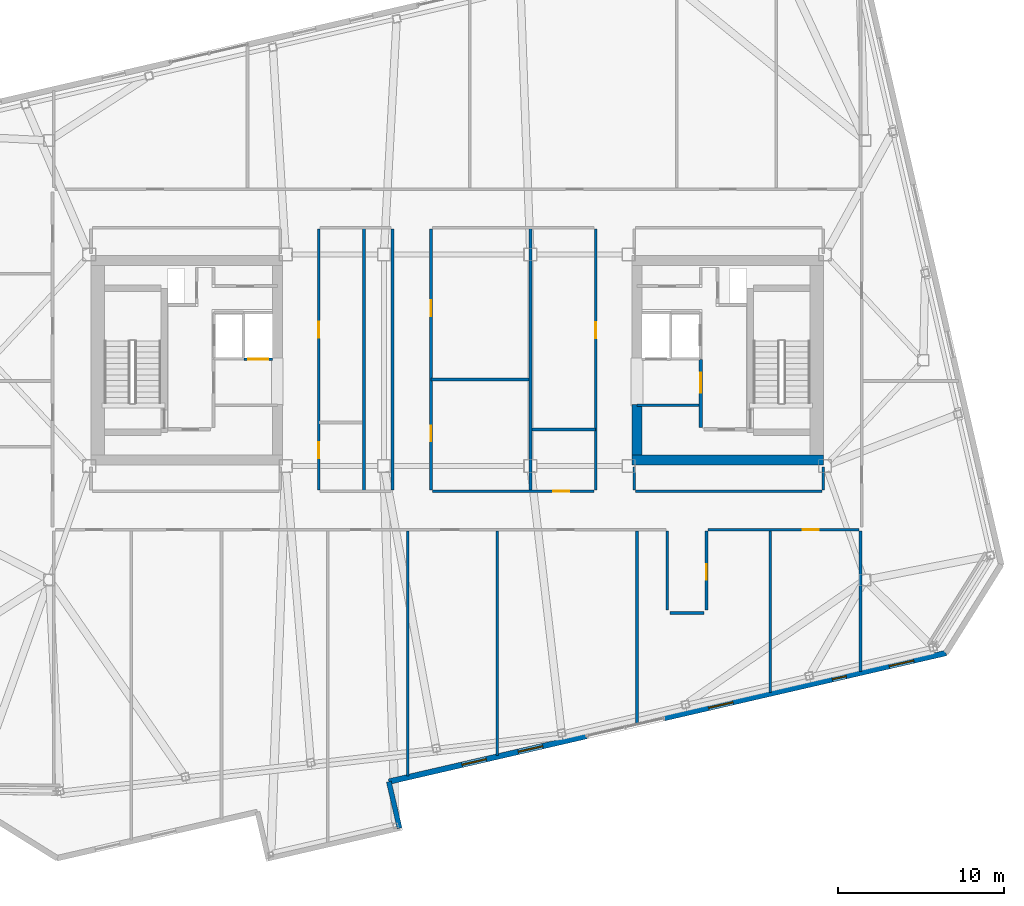
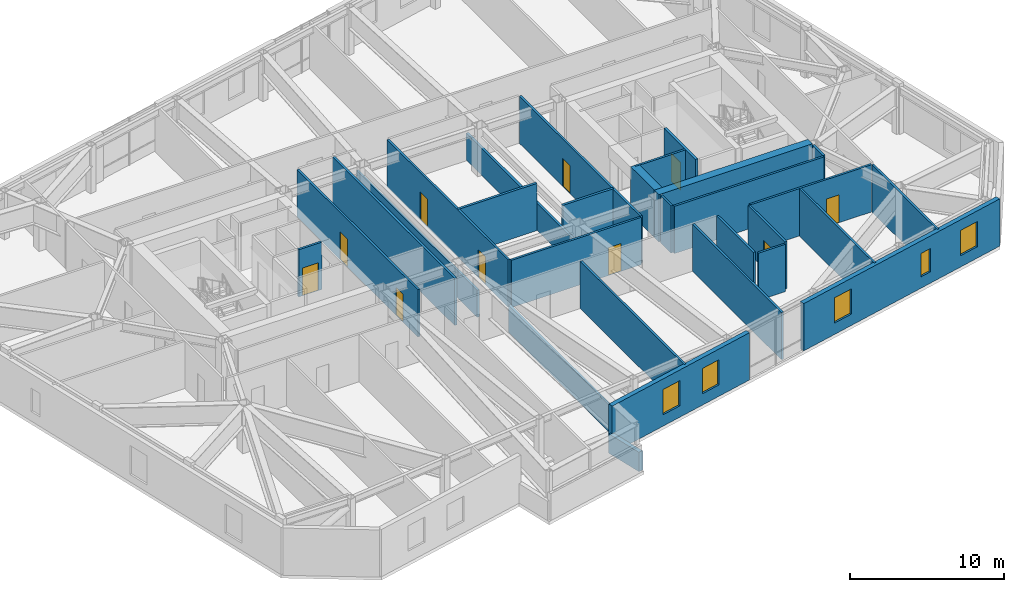
# One storey, part 15 of 21: 29 walls, 10 doors, 5 windows, 15 openings.
"""IFC4 building model written with IfcOpenShell, lengths in metres."""

from ifc_helpers import new_model, si_unit, direction, frame, frame_2d, origin, place, context, subcontext, project, spatial, rectangle, extrude, material, layer, layer_set, type_object, element, fill, save


model = new_model("IFC4")

# Units and contexts
model_context = context("Model", 3, precision=1e-05, world=origin(), true_north=direction((0.0, 1.0)))
body_context = subcontext(model_context, "Body", "Model", "MODEL_VIEW")
ifc_project = project(units=[si_unit("LENGTHUNIT", "METRE"), si_unit("AREAUNIT", "SQUARE_METRE"), si_unit("VOLUMEUNIT", "CUBIC_METRE"), si_unit("PLANEANGLEUNIT", "RADIAN"), si_unit("MASSUNIT", "GRAM", prefix="KILO")], contexts=[model_context])

# Site, building, storey
site_placement = place(None, origin())
site = spatial("IfcSite", under=ifc_project, at=site_placement, CompositionType="ELEMENT")
building_placement = place(site_placement, origin())
building = spatial("IfcBuilding", under=site, at=building_placement, Name="Tavrogorsk Clinical Tower", CompositionType="ELEMENT")
storey_placement = place(building_placement, frame((0.0, 0.0, 281.0)))
storey = spatial("IfcBuildingStorey", under=building, at=storey_placement, Name="L65", CompositionType="ELEMENT", Elevation=281.0)

# Wall, opening, door
ifc_material_1 = material(Name="Concrete B60", Category="concrete")
ifc_layer_1 = layer(ifc_material_1, 0.199951171875)
ifc_layer_set_1 = layer_set([ifc_layer_1], Name="Concrete B60")
wall_type_1 = type_object("IfcWallType", Name="CoreFireWall_200", PredefinedType="SOLIDWALL", material=ifc_layer_set_1)
wall_1_placement = place(storey_placement, frame((14.639892578125, -4.034912109375, 0.0), z_axis=(0.0, 0.0, 1.0), x_axis=(0.0, 1.0, 0.0)))
wall_1 = element("IfcWall", 1, at=wall_1_placement, inside=storey, type_object=wall_type_1, Name="L65 Core East Firefighting Lobby Fire Wall", PredefinedType="SOLIDWALL", context=body_context, shape_type="SweptSolid", body=[
    extrude(rectangle(XDim=4.074951171875, YDim=0.199951171875, at=frame_2d((2.03759765625, 0.0))), origin(), (0.0, 0.0, 1.0), 3.739990234375),
])
opening_1_placement = place(wall_1_placement, frame((2.090087890625, 0.0, 0.0)))
opening_1 = element("IfcOpeningElement", 2, at=opening_1_placement, cuts=wall_1, Name="Opening FD-01", PredefinedType="OPENING", context=body_context, shape_type="SweptSolid", body=[
    extrude(rectangle(XDim=1.199951171875, YDim=2.199951171875, at=frame_2d((0.60009765625, 1.10009765625))), frame((0.0, 0.10986328125, 0.0), z_axis=(0.0, -1.0, 0.0), x_axis=(1.0, 0.0, 0.0)), (0.0, 0.0, 1.0), 0.219970703125),
])
ifc_material_2 = material(Name="Galvanised steel fire-rated door assembly", Category="steel")
door_type_1 = type_object("IfcDoorType", Name="FireDoor_FD01_1200", OperationType="NOTDEFINED", PredefinedType="DOOR", material=ifc_material_2)
door_1_placement = place(opening_1_placement, origin())
door_1 = element("IfcDoor", 3, at=door_1_placement, inside=storey, type_object=door_type_1, Name="L65 Core East Firefighting Lobby Entry Door", OperationType="SINGLE_SWING_RIGHT", OverallHeight=2.199951171875, OverallWidth=1.199951171875, PredefinedType="DOOR", context=body_context, shape_type="SweptSolid", body=[
    extrude(rectangle(XDim=1.199951171875, YDim=2.199951171875, at=frame_2d((0.60009765625, 1.10009765625))), frame((0.0, 0.02490234375, 0.0), z_axis=(0.0, -1.0, 0.0), x_axis=(1.0, 0.0, 0.0)), (0.0, 0.0, 1.0), 0.050048828125),
])
fill(opening_1, door_1)

# Wall
ifc_material_3 = material(Name="Lightweight concrete blockwork B15", Category="masonry")
ifc_layer_2 = layer(ifc_material_3, 0.159912109375)
ifc_layer_set_2 = layer_set([ifc_layer_2], Name="Lightweight concrete blockwork B15")
wall_type_2 = type_object("IfcWallType", Name="PartitionWall_160", PredefinedType="PARTITIONING", material=ifc_layer_set_2)
wall_2_placement = place(storey_placement, frame((10.800048828125, -2.699951171875, 0.0), z_axis=(0.0, 0.0, 1.0), x_axis=(1.0, 0.0, 0.0)))
element("IfcWall", 4, at=wall_2_placement, inside=storey, type_object=wall_type_2, Name="L65 Core East Freed Mid-Bank North Partition", PredefinedType="PARTITIONING", context=body_context, shape_type="SweptSolid", body=[
    extrude(rectangle(XDim=3.73486328125, YDim=0.159912109375, at=frame_2d((1.867431640625, 0.0))), origin(), (0.0, 0.0, 1.0), 3.739990234375),
])

# Wall, opening, door
wall_3_placement = place(storey_placement, frame((24.14501953125, -10.179931640625, 0.0), z_axis=(0.0, 0.0, 1.0), x_axis=(-1.0, 0.0, 0.0)))
wall_3 = element("IfcWall", 5, at=wall_3_placement, inside=storey, type_object=wall_type_2, Name="L65 Corridor Partition 04", PredefinedType="PARTITIONING", context=body_context, shape_type="SweptSolid", body=[
    extrude(rectangle(XDim=9.080078125, YDim=0.159912109375, at=frame_2d((4.5400390625, 0.0))), origin(), (0.0, 0.0, 1.0), 3.739990234375),
])
opening_2_placement = place(wall_3_placement, frame((2.43408203125, 0.0, 0.0)))
opening_2 = element("IfcOpeningElement", 6, at=opening_2_placement, cuts=wall_3, Name="Opening ID-02", PredefinedType="OPENING", context=body_context, shape_type="SweptSolid", body=[
    extrude(rectangle(XDim=0.949951171875, YDim=2.199951171875, at=frame_2d((0.47509765625, 1.10009765625))), frame((0.0, 0.08984375, 0.0), z_axis=(0.0, -1.0, 0.0), x_axis=(1.0, 0.0, 0.0)), (0.0, 0.0, 1.0), 0.179931640625),
])
ifc_material_4 = material(Name="Laminated timber leaf on aluminium frame", Category="wood")
door_type_2 = type_object("IfcDoorType", Name="InteriorDoor_ID02_950", OperationType="NOTDEFINED", PredefinedType="DOOR", material=ifc_material_4)
door_2_placement = place(opening_2_placement, origin())
door_2 = element("IfcDoor", 7, at=door_2_placement, inside=storey, type_object=door_type_2, Name="L65 South Patient Mobility Lounge 07 Door", OperationType="SINGLE_SWING_LEFT", OverallHeight=2.199951171875, OverallWidth=0.949951171875, PredefinedType="DOOR", context=body_context, shape_type="SweptSolid", body=[
    extrude(rectangle(XDim=0.949951171875, YDim=2.199951171875, at=frame_2d((0.47509765625, 1.10009765625))), frame((0.0, 0.02490234375, 0.0), z_axis=(0.0, -1.0, 0.0), x_axis=(1.0, 0.0, 0.0)), (0.0, 0.0, 1.0), 0.050048828125),
])
fill(opening_2, door_2)

wall_4_placement = place(storey_placement, frame((14.97998046875, -10.264892578125, 0.0), z_axis=(0.0, 0.0, 1.0), x_axis=(0.0, -1.0, 0.0)))
wall_4 = element("IfcWall", 8, at=wall_4_placement, inside=storey, type_object=wall_type_2, Name="L65 Corridor Partition 05", PredefinedType="PARTITIONING", context=body_context, shape_type="SweptSolid", body=[
    extrude(rectangle(XDim=4.75, YDim=0.159912109375, at=frame_2d((2.375, 0.0))), origin(), (0.0, 0.0, 1.0), 3.739990234375),
])
opening_3_placement = place(wall_4_placement, frame((1.985107421875, 0.0, 0.0)))
opening_3 = element("IfcOpeningElement", 9, at=opening_3_placement, cuts=wall_4, Name="Opening ID-02", PredefinedType="OPENING", context=body_context, shape_type="SweptSolid", body=[
    extrude(rectangle(XDim=0.949951171875, YDim=2.199951171875, at=frame_2d((0.47509765625, 1.10009765625))), frame((0.0, 0.08984375, 0.0), z_axis=(0.0, -1.0, 0.0), x_axis=(1.0, 0.0, 0.0)), (0.0, 0.0, 1.0), 0.179931640625),
])
door_3_placement = place(opening_3_placement, origin())
door_3 = element("IfcDoor", 10, at=door_3_placement, inside=storey, type_object=door_type_2, Name="L65 South Orthotics & Mobility Equipment Store 06 Door", OperationType="SINGLE_SWING_RIGHT", OverallHeight=2.199951171875, OverallWidth=0.949951171875, PredefinedType="DOOR", context=body_context, shape_type="SweptSolid", body=[
    extrude(rectangle(XDim=0.949951171875, YDim=2.199951171875, at=frame_2d((0.47509765625, 1.10009765625))), frame((0.0, 0.02490234375, 0.0), z_axis=(0.0, -1.0, 0.0), x_axis=(1.0, 0.0, 0.0)), (0.0, 0.0, 1.0), 0.050048828125),
])
fill(opening_3, door_3)

# Walls
wall_5_placement = place(storey_placement, frame((14.81494140625, -15.179931640625, 0.0), z_axis=(0.0, 0.0, 1.0), x_axis=(-1.0, 0.0, 0.0)))
element("IfcWall", 11, at=wall_5_placement, inside=storey, type_object=wall_type_2, Name="L65 Corridor Partition 06", PredefinedType="PARTITIONING", context=body_context, shape_type="SweptSolid", body=[
    extrude(rectangle(XDim=2.030029296875, YDim=0.159912109375, at=frame_2d((1.01513671875, 0.0))), origin(), (0.0, 0.0, 1.0), 3.739990234375),
])
wall_6_placement = place(storey_placement, frame((12.6201171875, -15.014892578125, 0.0), z_axis=(0.0, 0.0, 1.0), x_axis=(0.0, 1.0, 0.0)))
element("IfcWall", 12, at=wall_6_placement, inside=storey, type_object=wall_type_2, Name="L65 Corridor Partition 07", PredefinedType="PARTITIONING", context=body_context, shape_type="SweptSolid", body=[
    extrude(rectangle(XDim=4.75, YDim=0.159912109375, at=frame_2d((2.375, 0.0))), origin(), (0.0, 0.0, 1.0), 3.739990234375),
])
wall_7_placement = place(storey_placement, frame((10.6298828125, -6.419921875, 0.0), z_axis=(0.0, 0.0, 1.0), x_axis=(0.0, -1.0, 0.0)))
element("IfcWall", 13, at=wall_7_placement, inside=storey, type_object=wall_type_2, Name="L65 Corridor Partition 11", PredefinedType="PARTITIONING", context=body_context, shape_type="SweptSolid", body=[
    extrude(rectangle(XDim=1.364990234375, YDim=0.159912109375, at=frame_2d((0.6826171875, 0.0))), origin(), (0.0, 0.0, 1.0), 3.739990234375),
])
wall_8_placement = place(storey_placement, frame((10.715087890625, -7.8701171875, 0.0), z_axis=(0.0, 0.0, 1.0), x_axis=(1.0, 0.0, 0.0)))
element("IfcWall", 14, at=wall_8_placement, inside=storey, type_object=wall_type_2, Name="L65 Corridor Partition 12", PredefinedType="PARTITIONING", context=body_context, shape_type="SweptSolid", body=[
    extrude(rectangle(XDim=11.199951171875, YDim=0.159912109375, at=frame_2d((5.60009765625, 0.0))), origin(), (0.0, 0.0, 1.0), 3.739990234375),
])
wall_9_placement = place(storey_placement, frame((22.0, -7.784912109375, 0.0), z_axis=(0.0, 0.0, 1.0), x_axis=(0.0, 1.0, 0.0)))
element("IfcWall", 15, at=wall_9_placement, inside=storey, type_object=wall_type_2, Name="L65 Corridor Partition 13", PredefinedType="PARTITIONING", context=body_context, shape_type="SweptSolid", body=[
    extrude(rectangle(XDim=1.364990234375, YDim=0.159912109375, at=frame_2d((0.6826171875, 0.0))), origin(), (0.0, 0.0, 1.0), 3.739990234375),
])

# Wall, openings, doors
wall_10_placement = place(storey_placement, frame((-1.570068359375, 7.885009765625, 0.0), z_axis=(0.0, 0.0, 1.0), x_axis=(0.0, -1.0, 0.0)))
wall_10 = element("IfcWall", 16, at=wall_10_placement, inside=storey, type_object=wall_type_2, Name="L65 Corridor Partition 16", PredefinedType="PARTITIONING", context=body_context, shape_type="SweptSolid", body=[
    extrude(rectangle(XDim=15.669921875, YDim=0.159912109375, at=frame_2d((7.8349609375, 0.0))), origin(), (0.0, 0.0, 1.0), 3.739990234375),
])
opening_4_placement = place(wall_10_placement, frame((11.810791015625, 0.0, 0.0)))
opening_4 = element("IfcOpeningElement", 17, at=opening_4_placement, cuts=wall_10, Name="Opening ID-02", PredefinedType="OPENING", context=body_context, shape_type="SweptSolid", body=[
    extrude(rectangle(XDim=0.949951171875, YDim=2.199951171875, at=frame_2d((0.47509765625, 1.10009765625))), frame((0.0, 0.08984375, 0.0), z_axis=(0.0, -1.0, 0.0), x_axis=(1.0, 0.0, 0.0)), (0.0, 0.0, 1.0), 0.179931640625),
])
opening_5_placement = place(wall_10_placement, frame((4.279052734375, 0.0, 0.0)))
opening_5 = element("IfcOpeningElement", 18, at=opening_5_placement, cuts=wall_10, Name="Opening ID-02", PredefinedType="OPENING", context=body_context, shape_type="SweptSolid", body=[
    extrude(rectangle(XDim=0.949951171875, YDim=2.199951171875, at=frame_2d((0.47509765625, 1.10009765625))), frame((0.0, 0.08984375, 0.0), z_axis=(0.0, -1.0, 0.0), x_axis=(1.0, 0.0, 0.0)), (0.0, 0.0, 1.0), 0.179931640625),
])
door_4_placement = place(opening_4_placement, origin())
door_4 = element("IfcDoor", 19, at=door_4_placement, inside=storey, type_object=door_type_2, Name="L65 Multidisciplinary Conference Room Door", OperationType="SINGLE_SWING_RIGHT", OverallHeight=2.199951171875, OverallWidth=0.949951171875, PredefinedType="DOOR", context=body_context, shape_type="SweptSolid", body=[
    extrude(rectangle(XDim=0.949951171875, YDim=2.199951171875, at=frame_2d((0.47509765625, 1.10009765625))), frame((0.0, 0.02490234375, 0.0), z_axis=(0.0, -1.0, 0.0), x_axis=(1.0, 0.0, 0.0)), (0.0, 0.0, 1.0), 0.050048828125),
])
fill(opening_4, door_4)
door_5_placement = place(opening_5_placement, origin())
door_5 = element("IfcDoor", 20, at=door_5_placement, inside=storey, type_object=door_type_2, Name="L65 Nurses' Station & Triage Hub Door", OperationType="SINGLE_SWING_LEFT", OverallHeight=2.199951171875, OverallWidth=0.949951171875, PredefinedType="DOOR", context=body_context, shape_type="SweptSolid", body=[
    extrude(rectangle(XDim=0.949951171875, YDim=2.199951171875, at=frame_2d((0.47509765625, 1.10009765625))), frame((0.0, 0.02490234375, 0.0), z_axis=(0.0, -1.0, 0.0), x_axis=(1.0, 0.0, 0.0)), (0.0, 0.0, 1.0), 0.050048828125),
])
fill(opening_5, door_5)

# Wall, opening, door
wall_11_placement = place(storey_placement, frame((-1.485107421875, -7.8701171875, 0.0), z_axis=(0.0, 0.0, 1.0), x_axis=(1.0, 0.0, 0.0)))
wall_11 = element("IfcWall", 21, at=wall_11_placement, inside=storey, type_object=wall_type_2, Name="L65 Corridor Partition 17", PredefinedType="PARTITIONING", context=body_context, shape_type="SweptSolid", body=[
    extrude(rectangle(XDim=9.72021484375, YDim=0.159912109375, at=frame_2d((4.860107421875, 0.0))), origin(), (0.0, 0.0, 1.0), 3.739990234375),
])
opening_6_placement = place(wall_11_placement, frame((7.260986328125, 0.0, 0.0)))
opening_6 = element("IfcOpeningElement", 22, at=opening_6_placement, cuts=wall_11, Name="Opening ID-02", PredefinedType="OPENING", context=body_context, shape_type="SweptSolid", body=[
    extrude(rectangle(XDim=0.949951171875, YDim=2.199951171875, at=frame_2d((0.47509765625, 1.10009765625))), frame((0.0, 0.08984375, 0.0), z_axis=(0.0, -1.0, 0.0), x_axis=(1.0, 0.0, 0.0)), (0.0, 0.0, 1.0), 0.179931640625),
])
door_6_placement = place(opening_6_placement, origin())
door_6 = element("IfcDoor", 23, at=door_6_placement, inside=storey, type_object=door_type_2, Name="L65 Staff & Visitor Accessible WC Door", OperationType="SINGLE_SWING_RIGHT", OverallHeight=2.199951171875, OverallWidth=0.949951171875, PredefinedType="DOOR", context=body_context, shape_type="SweptSolid", body=[
    extrude(rectangle(XDim=0.949951171875, YDim=2.199951171875, at=frame_2d((0.47509765625, 1.10009765625))), frame((0.0, 0.02490234375, 0.0), z_axis=(0.0, -1.0, 0.0), x_axis=(1.0, 0.0, 0.0)), (0.0, 0.0, 1.0), 0.050048828125),
])
fill(opening_6, door_6)

wall_12_placement = place(storey_placement, frame((8.320068359375, -7.784912109375, 0.0), z_axis=(0.0, 0.0, 1.0), x_axis=(0.0, 1.0, 0.0)))
wall_12 = element("IfcWall", 24, at=wall_12_placement, inside=storey, type_object=wall_type_2, Name="L65 Corridor Partition 18", PredefinedType="PARTITIONING", context=body_context, shape_type="SweptSolid", body=[
    extrude(rectangle(XDim=15.669921875, YDim=0.159912109375, at=frame_2d((7.8349609375, 0.0))), origin(), (0.0, 0.0, 1.0), 3.739990234375),
])
opening_7_placement = place(wall_12_placement, frame((9.11083984375, 0.0, 0.0)))
opening_7 = element("IfcOpeningElement", 25, at=opening_7_placement, cuts=wall_12, Name="Opening ID-02", PredefinedType="OPENING", context=body_context, shape_type="SweptSolid", body=[
    extrude(rectangle(XDim=0.949951171875, YDim=2.199951171875, at=frame_2d((0.47509765625, 1.10009765625))), frame((0.0, 0.08984375, 0.0), z_axis=(0.0, -1.0, 0.0), x_axis=(1.0, 0.0, 0.0)), (0.0, 0.0, 1.0), 0.179931640625),
])
door_7_placement = place(opening_7_placement, origin())
door_7 = element("IfcDoor", 26, at=door_7_placement, inside=storey, type_object=door_type_2, Name="L65 Attending Physician Office Door", OperationType="SINGLE_SWING_LEFT", OverallHeight=2.199951171875, OverallWidth=0.949951171875, PredefinedType="DOOR", context=body_context, shape_type="SweptSolid", body=[
    extrude(rectangle(XDim=0.949951171875, YDim=2.199951171875, at=frame_2d((0.47509765625, 1.10009765625))), frame((0.0, 0.02490234375, 0.0), z_axis=(0.0, -1.0, 0.0), x_axis=(1.0, 0.0, 0.0)), (0.0, 0.0, 1.0), 0.050048828125),
])
fill(opening_7, door_7)

# Wall
wall_13_placement = place(storey_placement, frame((-3.8798828125, -7.784912109375, 0.0), z_axis=(0.0, 0.0, 1.0), x_axis=(0.0, 1.0, 0.0)))
element("IfcWall", 27, at=wall_13_placement, inside=storey, type_object=wall_type_2, Name="L65 Corridor Partition 19", PredefinedType="PARTITIONING", context=body_context, shape_type="SweptSolid", body=[
    extrude(rectangle(XDim=15.669921875, YDim=0.159912109375, at=frame_2d((7.8349609375, 0.0))), origin(), (0.0, 0.0, 1.0), 2.135009765625),
])

# Wall, openings, doors
wall_14_placement = place(storey_placement, frame((-8.320068359375, 7.885009765625, 0.0), z_axis=(0.0, 0.0, 1.0), x_axis=(0.0, -1.0, 0.0)))
wall_14 = element("IfcWall", 28, at=wall_14_placement, inside=storey, type_object=wall_type_2, Name="L65 Corridor Partition 21", PredefinedType="PARTITIONING", context=body_context, shape_type="SweptSolid", body=[
    extrude(rectangle(XDim=15.669921875, YDim=0.159912109375, at=frame_2d((7.8349609375, 0.0))), origin(), (0.0, 0.0, 1.0), 3.739990234375),
])
opening_8_placement = place(wall_14_placement, frame((12.810791015625, 0.0, 0.0)))
opening_8 = element("IfcOpeningElement", 29, at=opening_8_placement, cuts=wall_14, Name="Opening ID-02", PredefinedType="OPENING", context=body_context, shape_type="SweptSolid", body=[
    extrude(rectangle(XDim=0.949951171875, YDim=2.199951171875, at=frame_2d((0.47509765625, 1.10009765625))), frame((0.0, 0.08984375, 0.0), z_axis=(0.0, -1.0, 0.0), x_axis=(1.0, 0.0, 0.0)), (0.0, 0.0, 1.0), 0.179931640625),
])
opening_9_placement = place(wall_14_placement, frame((5.5791015625, 0.0, 0.0)))
opening_9 = element("IfcOpeningElement", 30, at=opening_9_placement, cuts=wall_14, Name="Opening ID-02", PredefinedType="OPENING", context=body_context, shape_type="SweptSolid", body=[
    extrude(rectangle(XDim=0.949951171875, YDim=2.199951171875, at=frame_2d((0.47509765625, 1.10009765625))), frame((0.0, 0.08984375, 0.0), z_axis=(0.0, -1.0, 0.0), x_axis=(1.0, 0.0, 0.0)), (0.0, 0.0, 1.0), 0.179931640625),
])
door_8_placement = place(opening_8_placement, origin())
door_8 = element("IfcDoor", 31, at=door_8_placement, inside=storey, type_object=door_type_2, Name="L65 Accessible Patient Lavatory Door", OperationType="SINGLE_SWING_RIGHT", OverallHeight=2.199951171875, OverallWidth=0.949951171875, PredefinedType="DOOR", context=body_context, shape_type="SweptSolid", body=[
    extrude(rectangle(XDim=0.949951171875, YDim=2.199951171875, at=frame_2d((0.47509765625, 1.10009765625))), frame((0.0, 0.02490234375, 0.0), z_axis=(0.0, -1.0, 0.0), x_axis=(1.0, 0.0, 0.0)), (0.0, 0.0, 1.0), 0.050048828125),
])
fill(opening_8, door_8)
door_9_placement = place(opening_9_placement, origin())
door_9 = element("IfcDoor", 32, at=door_9_placement, inside=storey, type_object=door_type_2, Name="L65 Ward Nourishment Pantry Door", OperationType="SINGLE_SWING_LEFT", OverallHeight=2.199951171875, OverallWidth=0.949951171875, PredefinedType="DOOR", context=body_context, shape_type="SweptSolid", body=[
    extrude(rectangle(XDim=0.949951171875, YDim=2.199951171875, at=frame_2d((0.47509765625, 1.10009765625))), frame((0.0, 0.02490234375, 0.0), z_axis=(0.0, -1.0, 0.0), x_axis=(1.0, 0.0, 0.0)), (0.0, 0.0, 1.0), 0.050048828125),
])
fill(opening_9, door_9)

# Walls
wall_15_placement = place(storey_placement, frame((24.22998046875, -18.702880859375, 0.0), z_axis=(0.0, 0.0, 1.0), x_axis=(0.0, 1.0, 0.0)))
element("IfcWall", 33, at=wall_15_placement, inside=storey, type_object=wall_type_2, Name="L65 SE Wing Closure Partition", PredefinedType="PARTITIONING", context=body_context, shape_type="SweptSolid", body=[
    extrude(rectangle(XDim=8.43798828125, YDim=0.159912109375, at=frame_2d((4.218994140625, 0.0))), origin(), (0.0, 0.0, 1.0), 3.739990234375),
])
wall_16_placement = place(storey_placement, frame((-2.9619140625, -24.98046875, 0.0), z_axis=(0.0, 0.0, 1.0), x_axis=(0.0, 1.0, 0.0)))
element("IfcWall", 34, at=wall_16_placement, inside=storey, type_object=wall_type_2, Name="L65 South Room Partition 3", PredefinedType="PARTITIONING", context=body_context, shape_type="SweptSolid", body=[
    extrude(rectangle(XDim=14.715576171875, YDim=0.159912109375, at=frame_2d((7.35791015625, 0.0))), origin(), (0.0, 0.0, 1.0), 2.135009765625),
])
wall_17_placement = place(storey_placement, frame((2.39990234375, -23.74267578125, 0.0), z_axis=(0.0, 0.0, 1.0), x_axis=(0.0, 1.0, 0.0)))
element("IfcWall", 35, at=wall_17_placement, inside=storey, type_object=wall_type_2, Name="L65 South Room Partition 4", PredefinedType="PARTITIONING", context=body_context, shape_type="SweptSolid", body=[
    extrude(rectangle(XDim=13.477783203125, YDim=0.159912109375, at=frame_2d((6.73876953125, 0.0))), origin(), (0.0, 0.0, 1.0), 3.739990234375),
])
wall_18_placement = place(storey_placement, frame((10.800048828125, -21.80322265625, 0.0), z_axis=(0.0, 0.0, 1.0), x_axis=(0.0, 1.0, 0.0)))
element("IfcWall", 36, at=wall_18_placement, inside=storey, type_object=wall_type_2, Name="L65 South Room Partition 5", PredefinedType="PARTITIONING", context=body_context, shape_type="SweptSolid", body=[
    extrude(rectangle(XDim=11.538330078125, YDim=0.159912109375, at=frame_2d((5.76904296875, 0.0))), origin(), (0.0, 0.0, 1.0), 3.739990234375),
])
wall_19_placement = place(storey_placement, frame((18.800048828125, -19.956298828125, 0.0), z_axis=(0.0, 0.0, 1.0), x_axis=(0.0, 1.0, 0.0)))
element("IfcWall", 37, at=wall_19_placement, inside=storey, type_object=wall_type_2, Name="L65 South Room Partition 6", PredefinedType="PARTITIONING", context=body_context, shape_type="SweptSolid", body=[
    extrude(rectangle(XDim=9.69140625, YDim=0.159912109375, at=frame_2d((4.845703125, 0.0))), origin(), (0.0, 0.0, 1.0), 3.739990234375),
])
ifc_material_5 = material(Name="Lightweight concrete blockwork B20", Category="masonry")
ifc_layer_3 = layer(ifc_material_5, 0.179931640625)
ifc_layer_set_3 = layer_set([ifc_layer_3], Name="Lightweight concrete blockwork B20")
wall_type_3 = type_object("IfcWallType", Name="PartitionWall_180", PredefinedType="PARTITIONING", material=ifc_layer_set_3)
wall_20_placement = place(storey_placement, frame((-5.60009765625, -7.864990234375, 0.0), z_axis=(0.0, 0.0, 1.0), x_axis=(0.0, 1.0, 0.0)))
element("IfcWall", 38, at=wall_20_placement, inside=storey, type_object=wall_type_3, Name="L65 Central Spine Partition 1", PredefinedType="PARTITIONING", context=body_context, shape_type="SweptSolid", body=[
    extrude(rectangle(XDim=15.830078125, YDim=0.179931640625, at=frame_2d((7.9150390625, 0.0))), origin(), (0.0, 0.0, 1.0), 3.739990234375),
])
wall_21_placement = place(storey_placement, frame((4.39990234375, -7.864990234375, 0.0), z_axis=(0.0, 0.0, 1.0), x_axis=(0.0, 1.0, 0.0)))
element("IfcWall", 39, at=wall_21_placement, inside=storey, type_object=wall_type_3, Name="L65 Central Spine Partition 2", PredefinedType="PARTITIONING", context=body_context, shape_type="SweptSolid", body=[
    extrude(rectangle(XDim=15.830078125, YDim=0.179931640625, at=frame_2d((7.9150390625, 0.0))), origin(), (0.0, 0.0, 1.0), 2.135009765625),
])
wall_22_placement = place(storey_placement, frame((-1.56494140625, -1.14990234375, 0.0), z_axis=(0.0, 0.0, 1.0), x_axis=(1.0, 0.0, 0.0)))
element("IfcWall", 40, at=wall_22_placement, inside=storey, type_object=wall_type_3, Name="L65 Central Spine Partition 3", PredefinedType="PARTITIONING", context=body_context, shape_type="SweptSolid", body=[
    extrude(rectangle(XDim=5.869873046875, YDim=0.179931640625, at=frame_2d((2.93505859375, 0.0))), origin(), (0.0, 0.0, 1.0), 3.739990234375),
])
wall_23_placement = place(storey_placement, frame((4.4951171875, -4.14990234375, 0.0), z_axis=(0.0, 0.0, 1.0), x_axis=(1.0, 0.0, 0.0)))
element("IfcWall", 41, at=wall_23_placement, inside=storey, type_object=wall_type_3, Name="L65 Central Spine Partition 5", PredefinedType="PARTITIONING", context=body_context, shape_type="SweptSolid", body=[
    extrude(rectangle(XDim=3.81982421875, YDim=0.179931640625, at=frame_2d((1.909912109375, 0.0))), origin(), (0.0, 0.0, 1.0), 3.739990234375),
])

# Wall, openings, windows
ifc_material_6 = material(Name="Precast concrete B45 with limestone cladding", Category="masonry")
ifc_layer_4 = layer(ifc_material_6, 0.340087890625)
ifc_layer_set_4 = layer_set([ifc_layer_4], Name="Precast concrete B45 with limestone cladding")
wall_type_4 = type_object("IfcWallType", Name="PrecastLimestoneWall_340", PredefinedType="STANDARD", material=ifc_layer_set_4)
wall_24_placement = place(storey_placement, frame((-4.103759765625, -25.31591796875, 0.0), z_axis=(0.0, 0.0, 1.0), x_axis=(0.974372956312, 0.224938529398, 0.0)))
wall_24 = element("IfcWall", 42, at=wall_24_placement, inside=storey, type_object=wall_type_4, Name="L65 S Limestone Facade Wall 2", PredefinedType="STANDARD", context=body_context, shape_type="SweptSolid", body=[
    extrude(rectangle(XDim=12.184326171875, YDim=0.340087890625, at=frame_2d((6.09228515625, 0.0))), origin(), (0.0, 0.0, 1.0), 3.739990234375),
])
opening_10_placement = place(wall_24_placement, frame((4.510986328125, 0.0, 0.89990234375)))
opening_10 = element("IfcOpeningElement", 43, at=opening_10_placement, cuts=wall_24, Name="Opening WN-05", PredefinedType="OPENING", context=body_context, shape_type="SweptSolid", body=[
    extrude(rectangle(XDim=1.5, YDim=2.0, at=frame_2d((0.75, 1.0))), frame((0.0, 0.179931640625, 0.0), z_axis=(0.0, -1.0, 0.0), x_axis=(1.0, 0.0, 0.0)), (0.0, 0.0, 1.0), 0.360107421875),
])
opening_11_placement = place(wall_24_placement, frame((7.980712890625, 0.0, 0.89990234375)))
opening_11 = element("IfcOpeningElement", 44, at=opening_11_placement, cuts=wall_24, Name="Opening WN-05", PredefinedType="OPENING", context=body_context, shape_type="SweptSolid", body=[
    extrude(rectangle(XDim=1.5, YDim=2.0, at=frame_2d((0.75, 1.0))), frame((0.0, 0.179931640625, 0.0), z_axis=(0.0, -1.0, 0.0), x_axis=(1.0, 0.0, 0.0)), (0.0, 0.0, 1.0), 0.360107421875),
])
ifc_material_7 = material(Name="Thermally broken aluminium frame and triple IGU", Category="aluminium")
window_type_1 = type_object("IfcWindowType", Name="ConsultWin_1500x2000", PartitioningType="SINGLE_PANEL", PredefinedType="WINDOW", material=ifc_material_7)
window_1_placement = place(opening_10_placement, origin())
window_1 = element("IfcWindow", 45, at=window_1_placement, inside=storey, type_object=window_type_1, Name="L65 S Chicago Window 05", OverallHeight=2.0, OverallWidth=1.5, PartitioningType="SINGLE_PANEL", PredefinedType="WINDOW", context=body_context, shape_type="SweptSolid", body=[
    extrude(rectangle(XDim=1.5, YDim=2.0, at=frame_2d((0.75, 1.0))), frame((0.0, 0.030029296875, 0.0), z_axis=(0.0, -1.0, 0.0), x_axis=(1.0, 0.0, 0.0)), (0.0, 0.0, 1.0), 0.06005859375),
])
fill(opening_10, window_1)
window_2_placement = place(opening_11_placement, origin())
window_2 = element("IfcWindow", 46, at=window_2_placement, inside=storey, type_object=window_type_1, Name="L65 S Chicago Window 06", OverallHeight=2.0, OverallWidth=1.5, PartitioningType="SINGLE_PANEL", PredefinedType="WINDOW", context=body_context, shape_type="SweptSolid", body=[
    extrude(rectangle(XDim=1.5, YDim=2.0, at=frame_2d((0.75, 1.0))), frame((0.0, 0.030029296875, 0.0), z_axis=(0.0, -1.0, 0.0), x_axis=(1.0, 0.0, 0.0)), (0.0, 0.0, 1.0), 0.06005859375),
])
fill(opening_11, window_2)

wall_25_placement = place(storey_placement, frame((12.4453125, -21.495361328125, 0.0), z_axis=(0.0, 0.0, 1.0), x_axis=(0.974369392164, 0.224953967767, 0.0)))
wall_25 = element("IfcWall", 47, at=wall_25_placement, inside=storey, type_object=wall_type_4, Name="L65 S Limestone Facade Wall 3", PredefinedType="STANDARD", context=body_context, shape_type="SweptSolid", body=[
    extrude(rectangle(XDim=17.36572265625, YDim=0.340087890625, at=frame_2d((8.682861328125, 0.0))), origin(), (0.0, 0.0, 1.0), 3.739990234375),
])
opening_12_placement = place(wall_25_placement, frame((2.728515625, 0.0, 0.89990234375)))
opening_12 = element("IfcOpeningElement", 48, at=opening_12_placement, cuts=wall_25, Name="Opening WN-05", PredefinedType="OPENING", context=body_context, shape_type="SweptSolid", body=[
    extrude(rectangle(XDim=1.5, YDim=2.0, at=frame_2d((0.75, 1.0))), frame((0.0, 0.179931640625, 0.0), z_axis=(0.0, -1.0, 0.0), x_axis=(1.0, 0.0, 0.0)), (0.0, 0.0, 1.0), 0.360107421875),
])
opening_13_placement = place(wall_25_placement, frame((10.36279296875, 0.0, 0.89990234375)))
opening_13 = element("IfcOpeningElement", 49, at=opening_13_placement, cuts=wall_25, Name="Opening WN-06", PredefinedType="OPENING", context=body_context, shape_type="SweptSolid", body=[
    extrude(rectangle(XDim=0.85009765625, YDim=1.85009765625, at=frame_2d((0.425048828125, 0.925048828125))), frame((0.0, 0.179931640625, 0.0), z_axis=(0.0, -1.0, 0.0), x_axis=(1.0, 0.0, 0.0)), (0.0, 0.0, 1.0), 0.360107421875),
])
opening_14_placement = place(wall_25_placement, frame((13.87451171875, 0.0, 0.89990234375)))
opening_14 = element("IfcOpeningElement", 50, at=opening_14_placement, cuts=wall_25, Name="Opening WN-05", PredefinedType="OPENING", context=body_context, shape_type="SweptSolid", body=[
    extrude(rectangle(XDim=1.5, YDim=2.0, at=frame_2d((0.75, 1.0))), frame((0.0, 0.179931640625, 0.0), z_axis=(0.0, -1.0, 0.0), x_axis=(1.0, 0.0, 0.0)), (0.0, 0.0, 1.0), 0.360107421875),
])
window_3_placement = place(opening_12_placement, origin())
window_3 = element("IfcWindow", 51, at=window_3_placement, inside=storey, type_object=window_type_1, Name="L65 S Chicago Window 07", OverallHeight=2.0, OverallWidth=1.5, PartitioningType="SINGLE_PANEL", PredefinedType="WINDOW", context=body_context, shape_type="SweptSolid", body=[
    extrude(rectangle(XDim=1.5, YDim=2.0, at=frame_2d((0.75, 1.0))), frame((0.0, 0.030029296875, 0.0), z_axis=(0.0, -1.0, 0.0), x_axis=(1.0, 0.0, 0.0)), (0.0, 0.0, 1.0), 0.06005859375),
])
fill(opening_12, window_3)
window_4_placement = place(opening_14_placement, origin())
window_4 = element("IfcWindow", 52, at=window_4_placement, inside=storey, type_object=window_type_1, Name="L65 S Chicago Window 10", OverallHeight=2.0, OverallWidth=1.5, PartitioningType="SINGLE_PANEL", PredefinedType="WINDOW", context=body_context, shape_type="SweptSolid", body=[
    extrude(rectangle(XDim=1.5, YDim=2.0, at=frame_2d((0.75, 1.0))), frame((0.0, 0.030029296875, 0.0), z_axis=(0.0, -1.0, 0.0), x_axis=(1.0, 0.0, 0.0)), (0.0, 0.0, 1.0), 0.06005859375),
])
fill(opening_14, window_4)
ifc_material_8 = material(Name="Thermally broken aluminium frame and triple IGU", Category="aluminium")
window_type_2 = type_object("IfcWindowType", Name="MullionSubWin_850x1850", PartitioningType="SINGLE_PANEL", PredefinedType="WINDOW", material=ifc_material_8)
window_5_placement = place(opening_13_placement, origin())
window_5 = element("IfcWindow", 53, at=window_5_placement, inside=storey, type_object=window_type_2, Name="L65 S Mullion Split Window 09A", OverallHeight=1.85009765625, OverallWidth=0.85009765625, PartitioningType="SINGLE_PANEL", PredefinedType="WINDOW", context=body_context, shape_type="SweptSolid", body=[
    extrude(rectangle(XDim=0.85009765625, YDim=1.85009765625, at=frame_2d((0.425048828125, 0.925048828125))), frame((0.0, 0.030029296875, 0.0), z_axis=(0.0, -1.0, 0.0), x_axis=(1.0, 0.0, 0.0)), (0.0, 0.0, 1.0), 0.06005859375),
])
fill(opening_13, window_5)

# Wall, opening, door
ifc_material_9 = material(Name="Lightweight concrete blockwork B25", Category="masonry")
ifc_layer_5 = layer(ifc_material_9, 0.159912109375)
ifc_layer_set_5 = layer_set([ifc_layer_5], Name="Lightweight concrete blockwork B25")
wall_type_5 = type_object("IfcWallType", Name="ShaftWall_160", PredefinedType="PARTITIONING", material=ifc_layer_set_5)
wall_26_placement = place(storey_placement, frame((-12.820068359375, 0.06005859375, 0.0), z_axis=(0.0, 0.0, 1.0), x_axis=(1.0, 0.0, 0.0)))
wall_26 = element("IfcWall", 54, at=wall_26_placement, inside=storey, type_object=wall_type_5, Name="L65 LP-H1 High-Zone Lift Portal Wall", PredefinedType="PARTITIONING", context=body_context, shape_type="SweptSolid", body=[
    extrude(rectangle(XDim=1.719970703125, YDim=0.159912109375, at=frame_2d((0.85986328125, 0.0))), origin(), (0.0, 0.0, 1.0), 3.739990234375),
])
opening_15_placement = place(wall_26_placement, frame((0.260009765625, 0.0, 0.0)))
opening_15 = element("IfcOpeningElement", 55, at=opening_15_placement, cuts=wall_26, Name="Opening LD", PredefinedType="OPENING", context=body_context, shape_type="SweptSolid", body=[
    extrude(rectangle(XDim=1.199951171875, YDim=2.199951171875, at=frame_2d((0.60009765625, 1.10009765625))), frame((0.0, 0.08984375, 0.0), z_axis=(0.0, -1.0, 0.0), x_axis=(1.0, 0.0, 0.0)), (0.0, 0.0, 1.0), 0.179931640625),
])
ifc_material_10 = material(Name="Brushed stainless steel AISI 304 sliding doors", Category="steel")
door_type_3 = type_object("IfcDoorType", Name="LiftLandingDoor_LD_1200", OperationType="SLIDING_TO_LEFT", PredefinedType="DOOR", material=ifc_material_10)
door_10_placement = place(opening_15_placement, origin())
door_10 = element("IfcDoor", 56, at=door_10_placement, inside=storey, type_object=door_type_3, Name="L65 LP-H1 Sliding Lift Landing Door", OperationType="SLIDING_TO_LEFT", OverallHeight=2.199951171875, OverallWidth=1.199951171875, PredefinedType="DOOR", context=body_context, shape_type="SweptSolid", body=[
    extrude(rectangle(XDim=1.199951171875, YDim=2.199951171875, at=frame_2d((0.60009765625, 1.10009765625))), frame((0.0, 0.02490234375, 0.0), z_axis=(0.0, -1.0, 0.0), x_axis=(1.0, 0.0, 0.0)), (0.0, 0.0, 1.0), 0.050048828125),
])
fill(opening_15, door_10)

# Walls
ifc_material_11 = material(Name="Concrete B80", Category="concrete")
ifc_layer_6 = layer(ifc_material_11, 0.60009765625)
ifc_layer_set_6 = layer_set([ifc_layer_6], Name="Concrete B80")
wall_type_6 = type_object("IfcWallType", Name="ShearWall_600", PredefinedType="SHEAR", material=ifc_layer_set_6)
wall_27_placement = place(storey_placement, frame((10.5, -6.0, 0.0), z_axis=(0.0, 0.0, 1.0), x_axis=(1.0, 0.0, 0.0)))
element("IfcWall", 57, at=wall_27_placement, inside=storey, type_object=wall_type_6, Name="L65 Core East South Shear Wall", PredefinedType="SHEAR", context=body_context, shape_type="SweptSolid", body=[
    extrude(rectangle(XDim=11.5, YDim=0.60009765625, at=frame_2d((5.75, 0.0))), origin(), (0.0, 0.0, 1.0), 3.739990234375),
])
wall_28_placement = place(storey_placement, frame((10.800048828125, -5.699951171875, 0.0), z_axis=(0.0, 0.0, 1.0), x_axis=(0.0, 1.0, 0.0)))
element("IfcWall", 58, at=wall_28_placement, inside=storey, type_object=wall_type_6, Name="L65 Core East Inner South Pier", PredefinedType="SHEAR", context=body_context, shape_type="SweptSolid", body=[
    extrude(rectangle(XDim=3.050048828125, YDim=0.60009765625, at=frame_2d((1.52490234375, 0.0))), origin(), (0.0, 0.0, 1.0), 3.739990234375),
])
ifc_material_12 = material(Name="Precast concrete B45 with mineral wool", Category="concrete")
ifc_layer_7 = layer(ifc_material_12, 0.300048828125)
ifc_layer_set_7 = layer_set([ifc_layer_7], Name="Precast concrete B45 with mineral wool")
wall_type_7 = type_object("IfcWallType", Name="SpandrelBackWall_300", PredefinedType="STANDARD", material=ifc_layer_set_7)
wall_29_placement = place(storey_placement, frame((-4.103759765625, -25.31591796875, 0.0), z_axis=(0.0, 0.0, 1.0), x_axis=(0.225002397841, -0.97435820978, 0.0)))
element("IfcWall", 59, at=wall_29_placement, inside=storey, type_object=wall_type_7, Name="L65 Day-Room Cheek Wall DRB-09-R", PredefinedType="STANDARD", context=body_context, shape_type="SweptSolid", body=[
    extrude(rectangle(XDim=2.869873046875, YDim=0.300048828125, at=frame_2d((1.43505859375, 0.0))), origin(), (0.0, 0.0, 1.0), 1.534912109375),
])

save(model, "model.ifc")
